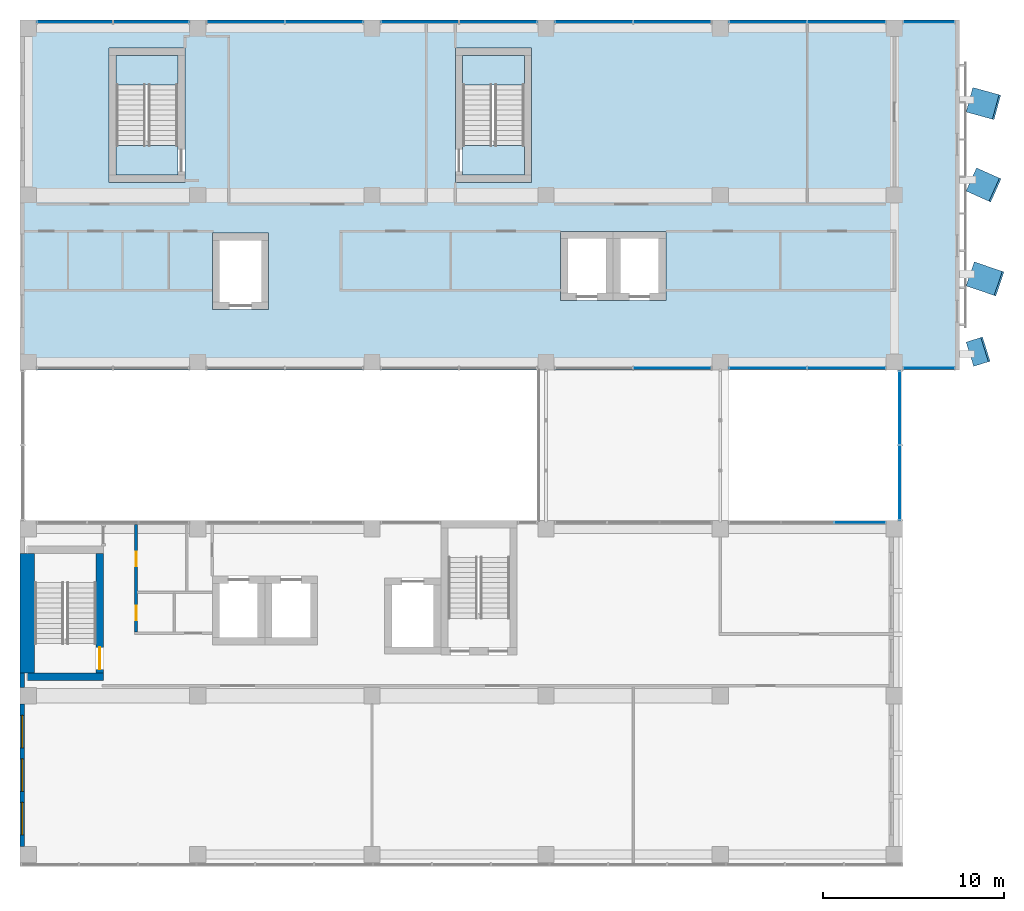
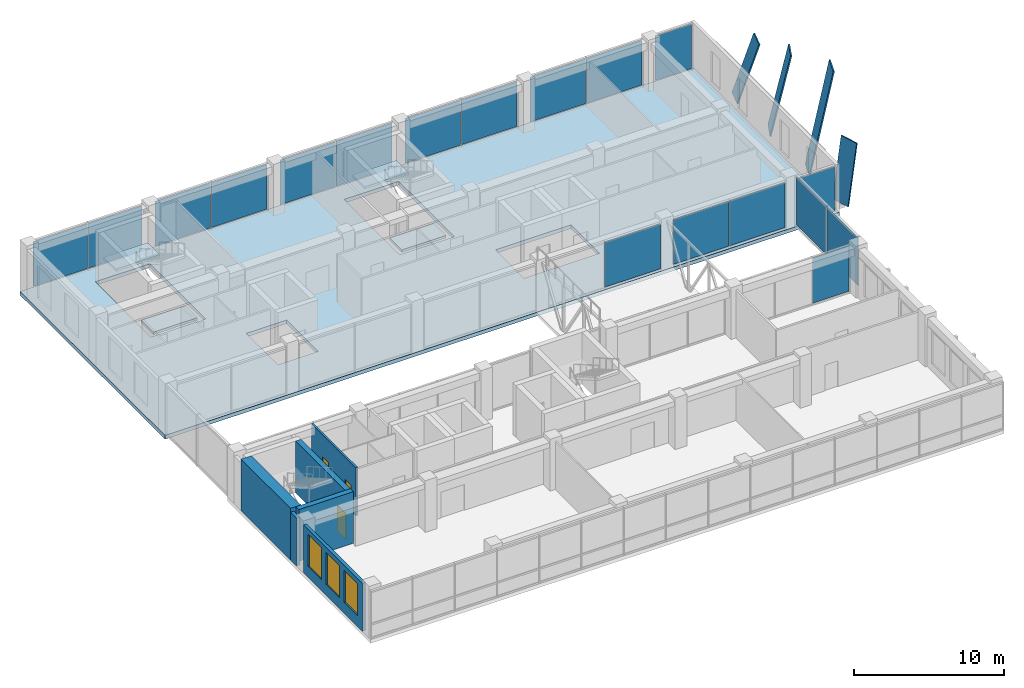
# One storey, part 28 of 38: 22 plates, 6 walls, 5 slabs, 3 doors, 3 windows, 6 openings, 13 elements without a shape of their own.
"""IFC4 building model written with IfcOpenShell, lengths in metres."""

from ifc_helpers import new_model, si_unit, direction, frame, frame_2d, origin, origin_2d, place, context, subcontext, project, spatial, polyline, rectangle, outline, extrude, material, layer, layer_set, layer_usage, material_profile, profile_set, type_object, element, fill, aggregate, save


model = new_model("IFC4")

# Units and contexts
model_context = context("Model", 3, precision=1e-05, world=origin(), true_north=direction((0.0, 1.0)))
body_context = subcontext(model_context, "Body", "Model", "MODEL_VIEW")
ifc_project = project(units=[si_unit("LENGTHUNIT", "METRE"), si_unit("AREAUNIT", "SQUARE_METRE"), si_unit("VOLUMEUNIT", "CUBIC_METRE"), si_unit("PLANEANGLEUNIT", "RADIAN"), si_unit("MASSUNIT", "GRAM", prefix="KILO")], contexts=[model_context])

# Site, building, storey
site_placement = place(None, origin())
site = spatial("IfcSite", under=ifc_project, at=site_placement, CompositionType="ELEMENT")
building_placement = place(site_placement, origin())
building = spatial("IfcBuilding", under=site, at=building_placement, Name="Nzadi Deep Aquarium and Research Tower", CompositionType="ELEMENT")
storey_placement = place(building_placement, frame((0.0, 0.0, 65.5)))
storey = spatial("IfcBuildingStorey", under=building, at=storey_placement, Name="L13", CompositionType="ELEMENT", Elevation=65.5)

# Plates
ifc_material_1 = material(Name="Anodised aluminium, bright", Category="aluminium")
ifc_material_profile_1 = material_profile(ifc_material_1, rectangle(XDim=1.39990234375, YDim=0.10009765625, at=origin_2d()))
ifc_profile_set_1 = profile_set([ifc_material_profile_1], Name="Anodised aluminium, bright")
plate_type_1 = type_object("IfcPlateType", Name="Fold blade anodised aluminium 1400x100, 4.8 m", PredefinedType="SHEET", material=ifc_profile_set_1)
for number, where, z_axis, x_axis, name in (
    (1, (52.209228515625, 28.0400390625, 0.0087890625), (0.169016202445, 0.052947898509, 0.984190044328), (-0.298945326589, 0.954270240399, 0.0), "FD023 fold blade EB L13"),
    (2, (52.184814453125, 42.0400390625, 0.015625), (0.301262147952, -0.082449086921, 0.949970139677), (0.263971612126, 0.964530449489, 0.0), "FD026 fold blade EB L13"),
):
    element("IfcPlate", number, at=place(storey_placement, frame(where, z_axis=z_axis, x_axis=x_axis)), inside=storey, type_object=plate_type_1, Name=name, PredefinedType="SHEET", context=body_context, shape_type="SweptSolid", body=[
        extrude(rectangle(XDim=1.39990234375, YDim=0.10009765625, at=origin_2d()), origin(), (0.0, 0.0, 1.0), 4.800048828125),
    ])
ifc_material_2 = material(Name="Anodised aluminium, bright", Category="aluminium")
ifc_material_profile_2 = material_profile(ifc_material_2, rectangle(XDim=1.39990234375, YDim=0.10009765625, at=origin_2d()))
ifc_profile_set_2 = profile_set([ifc_material_profile_2], Name="Anodised aluminium, bright")
plate_type_2 = type_object("IfcPlateType", Name="Fold blade anodised aluminium 1400x100, 6.6 m", PredefinedType="SHEET", material=ifc_profile_set_2)
plate_1_placement = place(storey_placement, frame((52.286865234375, 37.639892578125, 0.010498046875), z_axis=(0.191206733392, -0.085893216277, 0.977784403897), x_axis=(0.409770232146, 0.912188772594, 0.0)))
element("IfcPlate", 3, at=plate_1_placement, inside=storey, type_object=plate_type_2, Name="FD025 fold blade EB L13", PredefinedType="SHEET", context=body_context, shape_type="SweptSolid", body=[
    extrude(rectangle(XDim=1.39990234375, YDim=0.10009765625, at=origin_2d()), origin(), (0.0, 0.0, 1.0), 6.60009765625),
])
ifc_material_3 = material(Name="Anodised aluminium, bright", Category="aluminium")
ifc_material_profile_3 = material_profile(ifc_material_3, rectangle(XDim=1.39990234375, YDim=0.10009765625, at=origin_2d()))
ifc_profile_set_3 = profile_set([ifc_material_profile_3], Name="Anodised aluminium, bright")
plate_type_3 = type_object("IfcPlateType", Name="Fold blade anodised aluminium 1400x100, 8.4 m", PredefinedType="SHEET", material=ifc_profile_set_3)
plate_2_placement = place(storey_placement, frame((52.2255859375, 32.43994140625, 0.009765625), z_axis=(0.183862437057, -0.062576008059, 0.980958127269), x_axis=(0.322192463593, 0.946674187038, 0.0)))
element("IfcPlate", 4, at=plate_2_placement, inside=storey, type_object=plate_type_3, Name="FD024 fold blade EB L13", PredefinedType="SHEET", context=body_context, shape_type="SweptSolid", body=[
    extrude(rectangle(XDim=1.39990234375, YDim=0.10009765625, at=origin_2d()), origin(), (0.0, 0.0, 1.0), 8.39990234375),
])

# Curtain wall, plate
ifc_material_4 = material(Name="Aluminium unitised frame", Category="aluminium")
ifc_layer_1 = layer(ifc_material_4, 0.199951171875)
ifc_layer_set_1 = layer_set([ifc_layer_1], Name="Aluminium unitised frame")
curtain_wall_type_1 = type_object("IfcCurtainWallType", Name="Curtain wall Unitised 200", PredefinedType="NOTDEFINED", material=ifc_layer_set_1)
curtain_wall_1_placement = place(storey_placement, origin())
curtain_wall_1 = element("IfcCurtainWall", 5, at=curtain_wall_1_placement, inside=storey, type_object=curtain_wall_type_1, Name="Unitised curtain wall blade A north L13", PredefinedType="NOTDEFINED")
ifc_material_5 = material(Name="Glass, sage tint", Category="glass")
ifc_layer_2 = layer(ifc_material_5, 0.035888671875)
ifc_layer_set_2 = layer_set([ifc_layer_2], Name="Glass, sage tint")
plate_type_4 = type_object("IfcPlateType", Name="Glazing panel 36 Unitised", PredefinedType="CURTAIN_PANEL", material=ifc_layer_set_2)
plate_3_placement = place(storey_placement, frame((46.0849609375, 18.75, 0.1201171875), z_axis=(0.0, 0.0, 1.0), x_axis=(1.0, 0.0, 0.0)))
plate_3 = element("IfcPlate", 6, at=plate_3_placement, type_object=plate_type_4, Name="CW063 panel 3.1", PredefinedType="CURTAIN_PANEL", context=body_context, shape_type="SweptSolid", body=[
    extrude(rectangle(XDim=2.81005859375, YDim=0.035888671875, at=origin_2d()), origin(), (0.0, 0.0, 1.0), 3.659912109375),
])
aggregate(curtain_wall_1, [plate_3])

ifc_material_6 = material(Name="Aluminium unitised frame deep", Category="aluminium")
ifc_layer_3 = layer(ifc_material_6, 0.22509765625)
ifc_layer_set_3 = layer_set([ifc_layer_3], Name="Aluminium unitised frame deep")
curtain_wall_type_2 = type_object("IfcCurtainWallType", Name="Curtain wall Unitised Deep 225", PredefinedType="NOTDEFINED", material=ifc_layer_set_3)
curtain_wall_2_placement = place(storey_placement, origin())
curtain_wall_2 = element("IfcCurtainWall", 7, at=curtain_wall_2_placement, inside=storey, type_object=curtain_wall_type_2, Name="Unitised curtain wall blade B south L13", PredefinedType="NOTDEFINED")
ifc_material_7 = material(Name="Glass, sage tint", Category="glass")
ifc_layer_4 = layer(ifc_material_7, 0.0400390625)
ifc_layer_set_4 = layer_set([ifc_layer_4], Name="Glass, sage tint")
plate_type_5 = type_object("IfcPlateType", Name="Glazing panel 40 Unitised Deep", PredefinedType="CURTAIN_PANEL", material=ifc_layer_set_4)
plate_4_placement = place(storey_placement, frame((35.760009765625, 27.262451171875, 0.139892578125), z_axis=(0.0, 0.0, 1.0), x_axis=(1.0, 0.0, 0.0)))
plate_4 = element("IfcPlate", 8, at=plate_4_placement, type_object=plate_type_5, Name="CW167 panel 2.1", PredefinedType="CURTAIN_PANEL", context=body_context, shape_type="SweptSolid", body=[
    extrude(rectangle(XDim=4.260009765625, YDim=0.0400390625, at=origin_2d()), origin(), (0.0, 0.0, 1.0), 3.6201171875),
])
aggregate(curtain_wall_2, [plate_4])

# Curtain wall, plates
curtain_wall_3_placement = place(storey_placement, origin())
curtain_wall_3 = element("IfcCurtainWall", 9, at=curtain_wall_3_placement, inside=storey, type_object=curtain_wall_type_2, Name="Unitised curtain wall blade B south L13", PredefinedType="NOTDEFINED")
plate_5_placement = place(storey_placement, frame((41.0400390625, 27.262451171875, 0.139892578125), z_axis=(0.0, 0.0, 1.0), x_axis=(1.0, 0.0, 0.0)))
plate_5 = element("IfcPlate", 10, at=plate_5_placement, type_object=plate_type_5, Name="CW168 panel 1.1", PredefinedType="CURTAIN_PANEL", context=body_context, shape_type="SweptSolid", body=[
    extrude(rectangle(XDim=4.260009765625, YDim=0.0400390625, at=origin_2d()), origin(), (0.0, 0.0, 1.0), 3.6201171875),
])
plate_6_placement = place(storey_placement, frame((45.360107421875, 27.262451171875, 0.139892578125), z_axis=(0.0, 0.0, 1.0), x_axis=(1.0, 0.0, 0.0)))
plate_6 = element("IfcPlate", 11, at=plate_6_placement, type_object=plate_type_5, Name="CW168 panel 2.1", PredefinedType="CURTAIN_PANEL", context=body_context, shape_type="SweptSolid", body=[
    extrude(rectangle(XDim=4.260009765625, YDim=0.0400390625, at=origin_2d()), origin(), (0.0, 0.0, 1.0), 3.6201171875),
])
aggregate(curtain_wall_3, [plate_5, plate_6])

# Curtain wall, plate
curtain_wall_4_placement = place(storey_placement, origin())
curtain_wall_4 = element("IfcCurtainWall", 12, at=curtain_wall_4_placement, inside=storey, type_object=curtain_wall_type_2, Name="Unitised curtain wall blade B south L13", PredefinedType="NOTDEFINED")
plate_7_placement = place(storey_placement, frame((49.89990234375, 27.262451171875, 0.139892578125), z_axis=(0.0, 0.0, 1.0), x_axis=(1.0, 0.0, 0.0)))
plate_7 = element("IfcPlate", 13, at=plate_7_placement, type_object=plate_type_5, Name="CW169 panel 1.1", PredefinedType="CURTAIN_PANEL", context=body_context, shape_type="SweptSolid", body=[
    extrude(rectangle(XDim=2.780029296875, YDim=0.0400390625, at=origin_2d()), origin(), (0.0, 0.0, 1.0), 3.6201171875),
])
aggregate(curtain_wall_4, [plate_7])

# Curtain wall, plates
curtain_wall_5_placement = place(storey_placement, origin())
curtain_wall_5 = element("IfcCurtainWall", 14, at=curtain_wall_5_placement, inside=storey, type_object=curtain_wall_type_2, Name="Unitised curtain wall blade B north L13", PredefinedType="NOTDEFINED")
plate_8_placement = place(storey_placement, frame((2.827392578125, 46.33740234375, 0.139892578125), z_axis=(0.0, 0.0, 1.0), x_axis=(1.0, 0.0, 0.0)))
plate_8 = element("IfcPlate", 15, at=plate_8_placement, type_object=plate_type_5, Name="CW170 panel 1.1", PredefinedType="CURTAIN_PANEL", context=body_context, shape_type="SweptSolid", body=[
    extrude(rectangle(XDim=4.135009765625, YDim=0.0400390625, at=origin_2d()), origin(), (0.0, 0.0, 1.0), 3.6201171875),
])
plate_9_placement = place(storey_placement, frame((7.0224609375, 46.33740234375, 0.139892578125), z_axis=(0.0, 0.0, 1.0), x_axis=(1.0, 0.0, 0.0)))
plate_9 = element("IfcPlate", 16, at=plate_9_placement, type_object=plate_type_5, Name="CW170 panel 2.1", PredefinedType="CURTAIN_PANEL", context=body_context, shape_type="SweptSolid", body=[
    extrude(rectangle(XDim=4.135009765625, YDim=0.0400390625, at=origin_2d()), origin(), (0.0, 0.0, 1.0), 3.6201171875),
])
aggregate(curtain_wall_5, [plate_8, plate_9])

curtain_wall_6_placement = place(storey_placement, origin())
curtain_wall_6 = element("IfcCurtainWall", 17, at=curtain_wall_6_placement, inside=storey, type_object=curtain_wall_type_2, Name="Unitised curtain wall blade B north L13", PredefinedType="NOTDEFINED")
plate_10_placement = place(storey_placement, frame((12.239990234375, 46.33740234375, 0.139892578125), z_axis=(0.0, 0.0, 1.0), x_axis=(1.0, 0.0, 0.0)))
plate_10 = element("IfcPlate", 18, at=plate_10_placement, type_object=plate_type_5, Name="CW171 panel 1.1", PredefinedType="CURTAIN_PANEL", context=body_context, shape_type="SweptSolid", body=[
    extrude(rectangle(XDim=4.260009765625, YDim=0.0400390625, at=origin_2d()), origin(), (0.0, 0.0, 1.0), 3.6201171875),
])
plate_11_placement = place(storey_placement, frame((16.56005859375, 46.33740234375, 0.139892578125), z_axis=(0.0, 0.0, 1.0), x_axis=(1.0, 0.0, 0.0)))
plate_11 = element("IfcPlate", 19, at=plate_11_placement, type_object=plate_type_5, Name="CW171 panel 2.1", PredefinedType="CURTAIN_PANEL", context=body_context, shape_type="SweptSolid", body=[
    extrude(rectangle(XDim=4.260009765625, YDim=0.0400390625, at=origin_2d()), origin(), (0.0, 0.0, 1.0), 3.6201171875),
])
aggregate(curtain_wall_6, [plate_10, plate_11])

curtain_wall_7_placement = place(storey_placement, origin())
curtain_wall_7 = element("IfcCurtainWall", 20, at=curtain_wall_7_placement, inside=storey, type_object=curtain_wall_type_2, Name="Unitised curtain wall blade B north L13", PredefinedType="NOTDEFINED")
plate_12_placement = place(storey_placement, frame((21.840087890625, 46.33740234375, 0.139892578125), z_axis=(0.0, 0.0, 1.0), x_axis=(1.0, 0.0, 0.0)))
plate_12 = element("IfcPlate", 21, at=plate_12_placement, type_object=plate_type_5, Name="CW172 panel 1.1", PredefinedType="CURTAIN_PANEL", context=body_context, shape_type="SweptSolid", body=[
    extrude(rectangle(XDim=4.260009765625, YDim=0.0400390625, at=origin_2d()), origin(), (0.0, 0.0, 1.0), 3.6201171875),
])
plate_13_placement = place(storey_placement, frame((26.159912109375, 46.33740234375, 0.139892578125), z_axis=(0.0, 0.0, 1.0), x_axis=(1.0, 0.0, 0.0)))
plate_13 = element("IfcPlate", 22, at=plate_13_placement, type_object=plate_type_5, Name="CW172 panel 2.1", PredefinedType="CURTAIN_PANEL", context=body_context, shape_type="SweptSolid", body=[
    extrude(rectangle(XDim=4.260009765625, YDim=0.0400390625, at=origin_2d()), origin(), (0.0, 0.0, 1.0), 3.6201171875),
])
aggregate(curtain_wall_7, [plate_12, plate_13])

curtain_wall_8_placement = place(storey_placement, origin())
curtain_wall_8 = element("IfcCurtainWall", 23, at=curtain_wall_8_placement, inside=storey, type_object=curtain_wall_type_2, Name="Unitised curtain wall blade B north L13", PredefinedType="NOTDEFINED")
plate_14_placement = place(storey_placement, frame((31.43994140625, 46.33740234375, 0.139892578125), z_axis=(0.0, 0.0, 1.0), x_axis=(1.0, 0.0, 0.0)))
plate_14 = element("IfcPlate", 24, at=plate_14_placement, type_object=plate_type_5, Name="CW173 panel 1.1", PredefinedType="CURTAIN_PANEL", context=body_context, shape_type="SweptSolid", body=[
    extrude(rectangle(XDim=4.260009765625, YDim=0.0400390625, at=origin_2d()), origin(), (0.0, 0.0, 1.0), 3.6201171875),
])
plate_15_placement = place(storey_placement, frame((35.760009765625, 46.33740234375, 0.139892578125), z_axis=(0.0, 0.0, 1.0), x_axis=(1.0, 0.0, 0.0)))
plate_15 = element("IfcPlate", 25, at=plate_15_placement, type_object=plate_type_5, Name="CW173 panel 2.1", PredefinedType="CURTAIN_PANEL", context=body_context, shape_type="SweptSolid", body=[
    extrude(rectangle(XDim=4.260009765625, YDim=0.0400390625, at=origin_2d()), origin(), (0.0, 0.0, 1.0), 3.6201171875),
])
aggregate(curtain_wall_8, [plate_14, plate_15])

curtain_wall_9_placement = place(storey_placement, origin())
curtain_wall_9 = element("IfcCurtainWall", 26, at=curtain_wall_9_placement, inside=storey, type_object=curtain_wall_type_2, Name="Unitised curtain wall blade B north L13", PredefinedType="NOTDEFINED")
plate_16_placement = place(storey_placement, frame((41.0400390625, 46.33740234375, 0.139892578125), z_axis=(0.0, 0.0, 1.0), x_axis=(1.0, 0.0, 0.0)))
plate_16 = element("IfcPlate", 27, at=plate_16_placement, type_object=plate_type_5, Name="CW174 panel 1.1", PredefinedType="CURTAIN_PANEL", context=body_context, shape_type="SweptSolid", body=[
    extrude(rectangle(XDim=4.260009765625, YDim=0.0400390625, at=origin_2d()), origin(), (0.0, 0.0, 1.0), 3.6201171875),
])
plate_17_placement = place(storey_placement, frame((45.360107421875, 46.33740234375, 0.139892578125), z_axis=(0.0, 0.0, 1.0), x_axis=(1.0, 0.0, 0.0)))
plate_17 = element("IfcPlate", 28, at=plate_17_placement, type_object=plate_type_5, Name="CW174 panel 2.1", PredefinedType="CURTAIN_PANEL", context=body_context, shape_type="SweptSolid", body=[
    extrude(rectangle(XDim=4.260009765625, YDim=0.0400390625, at=origin_2d()), origin(), (0.0, 0.0, 1.0), 3.6201171875),
])
aggregate(curtain_wall_9, [plate_16, plate_17])

# Curtain wall, plate
curtain_wall_10_placement = place(storey_placement, origin())
curtain_wall_10 = element("IfcCurtainWall", 29, at=curtain_wall_10_placement, inside=storey, type_object=curtain_wall_type_2, Name="Unitised curtain wall blade B north L13", PredefinedType="NOTDEFINED")
plate_18_placement = place(storey_placement, frame((49.89990234375, 46.33740234375, 0.139892578125), z_axis=(0.0, 0.0, 1.0), x_axis=(1.0, 0.0, 0.0)))
plate_18 = element("IfcPlate", 30, at=plate_18_placement, type_object=plate_type_5, Name="CW175 panel 1.1", PredefinedType="CURTAIN_PANEL", context=body_context, shape_type="SweptSolid", body=[
    extrude(rectangle(XDim=2.780029296875, YDim=0.0400390625, at=origin_2d()), origin(), (0.0, 0.0, 1.0), 3.6201171875),
])
aggregate(curtain_wall_10, [plate_18])

# Curtain wall, plates
ifc_material_8 = material(Name="Aluminium unitised frame wind post", Category="aluminium")
ifc_layer_5 = layer(ifc_material_8, 0.300048828125)
ifc_layer_set_5 = layer_set([ifc_layer_5], Name="Aluminium unitised frame wind post")
curtain_wall_type_3 = type_object("IfcCurtainWallType", Name="Curtain wall Slot End 300", PredefinedType="NOTDEFINED", material=ifc_layer_set_5)
curtain_wall_11_placement = place(storey_placement, origin())
curtain_wall_11 = element("IfcCurtainWall", 31, at=curtain_wall_11_placement, inside=storey, type_object=curtain_wall_type_3, Name="Glazed slot end east L13", PredefinedType="NOTDEFINED")
ifc_material_9 = material(Name="Glass, sage tint", Category="glass")
ifc_layer_6 = layer(ifc_material_9, 0.0439453125)
ifc_layer_set_6 = layer_set([ifc_layer_6], Name="Glass, sage tint")
plate_type_6 = type_object("IfcPlateType", Name="Glazing panel 44 Slot End", PredefinedType="CURTAIN_PANEL", material=ifc_layer_set_6)
plate_19_placement = place(storey_placement, frame((48.300048828125, 20.93994140625, 0.16015625), z_axis=(0.0, 0.0, 1.0), x_axis=(0.0, 1.0, 0.0)))
plate_19 = element("IfcPlate", 32, at=plate_19_placement, type_object=plate_type_6, Name="CW218 panel 1.1", PredefinedType="CURTAIN_PANEL", context=body_context, shape_type="SweptSolid", body=[
    extrude(rectangle(XDim=4.06005859375, YDim=0.0439453125, at=origin_2d()), origin(), (0.0, 0.0, 1.0), 3.8798828125),
])
plate_20_placement = place(storey_placement, frame((48.300048828125, 25.06005859375, 0.16015625), z_axis=(0.0, 0.0, 1.0), x_axis=(0.0, 1.0, 0.0)))
plate_20 = element("IfcPlate", 33, at=plate_20_placement, type_object=plate_type_6, Name="CW218 panel 2.1", PredefinedType="CURTAIN_PANEL", context=body_context, shape_type="SweptSolid", body=[
    extrude(rectangle(XDim=4.06005859375, YDim=0.0439453125, at=origin_2d()), origin(), (0.0, 0.0, 1.0), 3.8798828125),
])
aggregate(curtain_wall_11, [plate_19, plate_20])

# Stair, slabs
ifc_material_10 = material(Name="Concrete C35/45", Category="concrete")
stair_type = type_object("IfcStairType", Name="STAIR RETURN 3000", PredefinedType="NOTDEFINED", material=ifc_material_10)
stair_1_placement = place(storey_placement, origin())
stair_1 = element("IfcStair", 34, at=stair_1_placement, inside=storey, type_object=stair_type, Name="Stair ST-Z1-NW L13", PredefinedType="HALF_TURN_STAIR")
ifc_material_11 = material(Name="Concrete C35/45", Category="concrete")
ifc_layer_7 = layer(ifc_material_11, 0.199951171875)
ifc_layer_set_7 = layer_set([ifc_layer_7], Name="Concrete C35/45")
slab_type_1 = type_object("IfcSlabType", Name="LANDING 200", PredefinedType="LANDING", material=ifc_layer_set_7)
slab_1_placement = place(storey_placement, frame((0.0, 0.0, -0.199951171875)))
slab_1 = element("IfcSlab", 35, at=slab_1_placement, type_object=slab_type_1, Name="ST-Z1-NW landing 1", PredefinedType="LANDING", context=body_context, shape_type="SweptSolid", body=[
    extrude(outline(polyline([(5.10009765625, 37.89990234375), (8.5, 37.89990234375), (8.5, 39.52001953125), (5.10009765625, 39.52001953125), (5.10009765625, 37.89990234375)])), origin(), (0.0, 0.0, 1.0), 0.199951171875),
])
slab_2_placement = place(storey_placement, frame((0.0, 0.0, 1.89990234375)))
slab_2 = element("IfcSlab", 36, at=slab_2_placement, type_object=slab_type_1, Name="ST-Z1-NW landing 2", PredefinedType="LANDING", context=body_context, shape_type="SweptSolid", body=[
    extrude(outline(polyline([(5.10009765625, 42.8798828125), (8.5, 42.8798828125), (8.5, 44.5), (5.10009765625, 44.5), (5.10009765625, 42.8798828125)])), origin(), (0.0, 0.0, 1.0), 0.2001953125),
])
aggregate(stair_1, [slab_1, slab_2])

stair_2_placement = place(storey_placement, origin())
stair_2 = element("IfcStair", 37, at=stair_2_placement, inside=storey, type_object=stair_type, Name="Stair ST-Z1-NE L13", PredefinedType="HALF_TURN_STAIR")
slab_3_placement = place(storey_placement, frame((0.0, 0.0, -0.199951171875)))
slab_3 = element("IfcSlab", 38, at=slab_3_placement, type_object=slab_type_1, Name="ST-Z1-NE landing 1", PredefinedType="LANDING", context=body_context, shape_type="SweptSolid", body=[
    extrude(outline(polyline([(24.199951171875, 37.89990234375), (27.60009765625, 37.89990234375), (27.60009765625, 39.52001953125), (24.199951171875, 39.52001953125), (24.199951171875, 37.89990234375)])), origin(), (0.0, 0.0, 1.0), 0.199951171875),
])
slab_4_placement = place(storey_placement, frame((0.0, 0.0, 1.89990234375)))
slab_4 = element("IfcSlab", 39, at=slab_4_placement, type_object=slab_type_1, Name="ST-Z1-NE landing 2", PredefinedType="LANDING", context=body_context, shape_type="SweptSolid", body=[
    extrude(outline(polyline([(24.199951171875, 42.8798828125), (27.60009765625, 42.8798828125), (27.60009765625, 44.5), (24.199951171875, 44.5), (24.199951171875, 42.8798828125)])), origin(), (0.0, 0.0, 1.0), 0.2001953125),
])
aggregate(stair_2, [slab_3, slab_4])

# Slab
ifc_material_12 = material(Name="Concrete C35/45", Category="concrete")
ifc_layer_8 = layer(ifc_material_12, 0.300048828125)
ifc_layer_set_8 = layer_set([ifc_layer_8], Name="Concrete C35/45")
slab_type_2 = type_object("IfcSlabType", Name="RC floor slab 300", PredefinedType="FLOOR", material=ifc_layer_set_8)
slab_5_placement = place(storey_placement, frame((0.0, 0.0, -0.300048828125)))
element("IfcSlab", 40, at=slab_5_placement, inside=storey, type_object=slab_type_2, Name="Tower floor B L13", PredefinedType="FLOOR", context=body_context, shape_type="SweptSolid", body=[
    extrude(outline(polyline([(-0.199462890625, 27.14990234375), (51.60009765625, 27.14990234375), (51.60009765625, 46.449951171875), (-0.199462890625, 46.449951171875), (-0.199462890625, 27.14990234375)]), holes=[polyline([(8.89990234375, 44.89990234375), (8.89990234375, 37.5), (4.699951171875, 37.5), (4.699951171875, 44.89990234375), (8.89990234375, 44.89990234375)]), polyline([(28.0, 37.5), (23.800048828125, 37.5), (23.800048828125, 44.89990234375), (28.0, 44.89990234375), (28.0, 37.5)]), polyline([(10.39990234375, 30.5), (10.39990234375, 34.699951171875), (13.5, 34.699951171875), (13.5, 30.5), (10.39990234375, 30.5)]), polyline([(29.60009765625, 34.800048828125), (32.5, 34.800048828125), (35.39990234375, 34.800048828125), (35.39990234375, 31.0), (32.5, 31.0), (29.60009765625, 31.0), (29.60009765625, 34.800048828125)])]), origin(), (0.0, 0.0, 1.0), 0.300048828125),
])

# Wall
ifc_material_13 = material(Name="Concrete C35/45", Category="concrete")
ifc_layer_9 = layer(ifc_material_13, 0.14990234375, Category="cladding")
ifc_material_14 = material(Name="Mineral wool insulation")
ifc_layer_10 = layer(ifc_material_14, 0.070068359375, Category="insulation")
ifc_material_15 = material(Name="Gypsum board lining")
ifc_layer_11 = layer(ifc_material_15, 0.030029296875, Category="lining")
ifc_layer_set_9 = layer_set([ifc_layer_9, ifc_layer_10, ifc_layer_11], Name="Concrete C35/45, Mineral wool insulation, Gypsum board lining")
ifc_layer_usage_1 = layer_usage(ifc_layer_set_9, "AXIS2", "POSITIVE", -0.125)
wall_type_1 = type_object("IfcWallType", Name="End wall board-formed concrete 250", PredefinedType="ELEMENTEDWALL", material=ifc_layer_set_9)
wall_1_placement = place(storey_placement, frame((-0.074462890625, 10.449951171875, 0.0), z_axis=(0.0, 0.0, 1.0), x_axis=(0.0, -1.0, 0.0)))
element("IfcWall", 41, at=wall_1_placement, inside=storey, type_object=wall_type_1, material=ifc_layer_usage_1, Name="End wall blade A west L13", PredefinedType="ELEMENTEDWALL", context=body_context, shape_type="SweptSolid", body=[
    extrude(rectangle(XDim=0.800048828125, YDim=0.25, at=frame_2d((0.39990234375, 0.0))), origin(), (0.0, 0.0, 1.0), 3.89990234375),
])

# Wall, openings, windows
ifc_material_16 = material(Name="Graphite aluminium shingle", Category="aluminium")
ifc_layer_12 = layer(ifc_material_16, 0.050048828125, Category="cladding")
ifc_layer_13 = layer(ifc_material_13, 0.10009765625, Category="cladding")
ifc_layer_14 = layer(ifc_material_14, 0.070068359375, Category="insulation")
ifc_layer_15 = layer(ifc_material_15, 0.030029296875, Category="lining")
ifc_layer_set_10 = layer_set([ifc_layer_12, ifc_layer_13, ifc_layer_14, ifc_layer_15], Name="Graphite aluminium shingle, Concrete C35/45, Mineral wool insulation, Gypsum board lining")
ifc_layer_usage_2 = layer_usage(ifc_layer_set_10, "AXIS2", "POSITIVE", -0.125)
wall_type_2 = type_object("IfcWallType", Name="End wall shingle over board-formed concrete 250", PredefinedType="ELEMENTEDWALL", material=ifc_layer_set_10)
wall_2_placement = place(storey_placement, frame((-0.074462890625, 8.75, 0.0), z_axis=(0.0, 0.0, 1.0), x_axis=(0.0, -1.0, 0.0)))
wall_2 = element("IfcWall", 42, at=wall_2_placement, inside=storey, type_object=wall_type_2, material=ifc_layer_usage_2, Name="End wall blade A west L13", PredefinedType="ELEMENTEDWALL", context=body_context, shape_type="SweptSolid", body=[
    extrude(rectangle(XDim=7.85009765625, YDim=0.25, at=frame_2d((3.925048828125, 0.0))), origin(), (0.0, 0.0, 1.0), 3.89990234375),
])
opening_1_placement = place(wall_2_placement, frame((5.425048828125, 0.0, 0.89990234375)))
opening_1 = element("IfcOpeningElement", 43, at=opening_1_placement, cuts=wall_2, Name="Opening WN01", PredefinedType="OPENING", context=body_context, shape_type="SweptSolid", body=[
    extrude(rectangle(XDim=1.800048828125, YDim=2.60009765625, at=frame_2d((0.89990234375, 1.300048828125))), frame((0.0, 0.135009765625, 0.0), z_axis=(0.0, -1.0, 0.0), x_axis=(1.0, 0.0, 0.0)), (0.0, 0.0, 1.0), 0.27001953125),
])
opening_2_placement = place(wall_2_placement, frame((3.02490234375, 0.0, 0.89990234375)))
opening_2 = element("IfcOpeningElement", 44, at=opening_2_placement, cuts=wall_2, Name="Opening WN01", PredefinedType="OPENING", context=body_context, shape_type="SweptSolid", body=[
    extrude(rectangle(XDim=1.800048828125, YDim=2.60009765625, at=frame_2d((0.89990234375, 1.300048828125))), frame((0.0, 0.135009765625, 0.0), z_axis=(0.0, -1.0, 0.0), x_axis=(1.0, 0.0, 0.0)), (0.0, 0.0, 1.0), 0.27001953125),
])
opening_3_placement = place(wall_2_placement, frame((0.625, 0.0, 0.89990234375)))
opening_3 = element("IfcOpeningElement", 45, at=opening_3_placement, cuts=wall_2, Name="Opening WN01", PredefinedType="OPENING", context=body_context, shape_type="SweptSolid", body=[
    extrude(rectangle(XDim=1.800048828125, YDim=2.60009765625, at=frame_2d((0.89990234375, 1.300048828125))), frame((0.0, 0.135009765625, 0.0), z_axis=(0.0, -1.0, 0.0), x_axis=(1.0, 0.0, 0.0)), (0.0, 0.0, 1.0), 0.27001953125),
])
ifc_material_17 = material(Name="Aluminium window, sage tint glazing", Category="aluminium")
window_type = type_object("IfcWindowType", Name="Slot window 1800x2600 sill 900", PartitioningType="SINGLE_PANEL", PredefinedType="WINDOW", material=ifc_material_17)
window_1_placement = place(opening_1_placement, origin())
window_1 = element("IfcWindow", 46, at=window_1_placement, inside=storey, type_object=window_type, Name="Slot window L13 AW", OverallHeight=2.60009765625, OverallWidth=1.800048828125, PartitioningType="SINGLE_PANEL", PredefinedType="WINDOW", context=body_context, shape_type="SweptSolid", body=[
    extrude(rectangle(XDim=1.800048828125, YDim=2.60009765625, at=frame_2d((0.89990234375, 1.300048828125))), frame((0.0, 0.030029296875, 0.0), z_axis=(0.0, -1.0, 0.0), x_axis=(1.0, 0.0, 0.0)), (0.0, 0.0, 1.0), 0.06005859375),
])
fill(opening_1, window_1)
window_2_placement = place(opening_2_placement, origin())
window_2 = element("IfcWindow", 47, at=window_2_placement, inside=storey, type_object=window_type, Name="Slot window L13 AW", OverallHeight=2.60009765625, OverallWidth=1.800048828125, PartitioningType="SINGLE_PANEL", PredefinedType="WINDOW", context=body_context, shape_type="SweptSolid", body=[
    extrude(rectangle(XDim=1.800048828125, YDim=2.60009765625, at=frame_2d((0.89990234375, 1.300048828125))), frame((0.0, 0.030029296875, 0.0), z_axis=(0.0, -1.0, 0.0), x_axis=(1.0, 0.0, 0.0)), (0.0, 0.0, 1.0), 0.06005859375),
])
fill(opening_2, window_2)
window_3_placement = place(opening_3_placement, origin())
window_3 = element("IfcWindow", 48, at=window_3_placement, inside=storey, type_object=window_type, Name="Slot window L13 AW", OverallHeight=2.60009765625, OverallWidth=1.800048828125, PartitioningType="SINGLE_PANEL", PredefinedType="WINDOW", context=body_context, shape_type="SweptSolid", body=[
    extrude(rectangle(XDim=1.800048828125, YDim=2.60009765625, at=frame_2d((0.89990234375, 1.300048828125))), frame((0.0, 0.030029296875, 0.0), z_axis=(0.0, -1.0, 0.0), x_axis=(1.0, 0.0, 0.0)), (0.0, 0.0, 1.0), 0.06005859375),
])
fill(opening_3, window_3)

# Wall, openings, doors
ifc_material_18 = material(Name="Blockwork masonry", Category="masonry")
ifc_layer_16 = layer(ifc_material_18, 0.14990234375)
ifc_layer_set_11 = layer_set([ifc_layer_16], Name="Blockwork masonry")
wall_type_3 = type_object("IfcWallType", Name="Partition 150 EI 60", PredefinedType="PARTITIONING", material=ifc_layer_set_11)
wall_3_placement = place(storey_placement, frame((6.199951171875, 12.72509765625, 0.0), z_axis=(0.0, 0.0, 1.0), x_axis=(0.0, 1.0, 0.0)))
wall_3 = element("IfcWall", 49, at=wall_3_placement, inside=storey, type_object=wall_type_3, Name="W-Z1-L13-P009", PredefinedType="PARTITIONING", context=body_context, shape_type="SweptSolid", body=[
    extrude(rectangle(XDim=5.9189453125, YDim=0.14990234375, at=frame_2d((2.95947265625, 0.0))), origin(), (0.0, 0.0, 1.0), 3.89990234375),
])
opening_4_placement = place(wall_3_placement, frame((0.625, 0.0, 0.0)))
opening_4 = element("IfcOpeningElement", 50, at=opening_4_placement, cuts=wall_3, Name="Opening D141002", PredefinedType="OPENING", context=body_context, shape_type="SweptSolid", body=[
    extrude(rectangle(XDim=0.800048828125, YDim=2.10009765625, at=frame_2d((0.39990234375, 1.050048828125))), frame((0.0, 0.0849609375, 0.0), z_axis=(0.0, -1.0, 0.0), x_axis=(1.0, 0.0, 0.0)), (0.0, 0.0, 1.0), 0.169921875),
])
opening_5_placement = place(wall_3_placement, frame((3.625, 0.0, 0.0)))
opening_5 = element("IfcOpeningElement", 51, at=opening_5_placement, cuts=wall_3, Name="Opening D141004", PredefinedType="OPENING", context=body_context, shape_type="SweptSolid", body=[
    extrude(rectangle(XDim=0.800048828125, YDim=2.10009765625, at=frame_2d((0.39990234375, 1.050048828125))), frame((0.0, 0.0849609375, 0.0), z_axis=(0.0, -1.0, 0.0), x_axis=(1.0, 0.0, 0.0)), (0.0, 0.0, 1.0), 0.169921875),
])
ifc_material_19 = material(Name="Fire-rated steel door", Category="steel")
ifc_layer_17 = layer(ifc_material_19, 0.050048828125)
ifc_layer_set_12 = layer_set([ifc_layer_17], Name="Fire-rated steel door")
door_type_1 = type_object("IfcDoorType", Name="Door 800x2100 EI 60 single", OperationType="SINGLE_SWING_LEFT", PredefinedType="DOOR", material=ifc_layer_set_12)
door_1_placement = place(opening_4_placement, origin())
door_1 = element("IfcDoor", 52, at=door_1_placement, inside=storey, type_object=door_type_1, Name="D141002", OperationType="SINGLE_SWING_LEFT", OverallHeight=2.10009765625, OverallWidth=0.800048828125, PredefinedType="DOOR", context=body_context, shape_type="SweptSolid", body=[
    extrude(rectangle(XDim=0.800048828125, YDim=2.10009765625, at=frame_2d((0.39990234375, 1.050048828125))), frame((0.0, 0.02490234375, 0.0), z_axis=(0.0, -1.0, 0.0), x_axis=(1.0, 0.0, 0.0)), (0.0, 0.0, 1.0), 0.050048828125),
])
fill(opening_4, door_1)
door_2_placement = place(opening_5_placement, origin())
door_2 = element("IfcDoor", 53, at=door_2_placement, inside=storey, type_object=door_type_1, Name="D141004", OperationType="SINGLE_SWING_LEFT", OverallHeight=2.10009765625, OverallWidth=0.800048828125, PredefinedType="DOOR", context=body_context, shape_type="SweptSolid", body=[
    extrude(rectangle(XDim=0.800048828125, YDim=2.10009765625, at=frame_2d((0.39990234375, 1.050048828125))), frame((0.0, 0.02490234375, 0.0), z_axis=(0.0, -1.0, 0.0), x_axis=(1.0, 0.0, 0.0)), (0.0, 0.0, 1.0), 0.050048828125),
])
fill(opening_5, door_2)

# Wall
ifc_material_20 = material(Name="Concrete C35/45", Category="concrete")
ifc_layer_18 = layer(ifc_material_20, 0.39990234375)
ifc_layer_set_13 = layer_set([ifc_layer_18], Name="Concrete C35/45")
wall_type_4 = type_object("IfcWallType", Name="RC core wall 400", PredefinedType="SHEAR", material=ifc_layer_set_13)
wall_4_placement = place(storey_placement, frame((0.199951171875, 10.25, 0.0), z_axis=(0.0, 0.0, 1.0), x_axis=(1.0, 0.0, 0.0)))
element("IfcWall", 54, at=wall_4_placement, inside=storey, type_object=wall_type_4, Name="W-CORE-ST-Z1-SW-L13-S", PredefinedType="SHEAR", context=body_context, shape_type="SweptSolid", body=[
    extrude(rectangle(XDim=4.199951171875, YDim=0.39990234375, at=frame_2d((2.10009765625, 0.0))), origin(), (0.0, 0.0, 1.0), 4.199951171875),
])

# Wall, opening, door
wall_5_placement = place(storey_placement, frame((4.199951171875, 10.449951171875, 0.0), z_axis=(0.0, 0.0, 1.0), x_axis=(0.0, 1.0, 0.0)))
wall_5 = element("IfcWall", 55, at=wall_5_placement, inside=storey, type_object=wall_type_4, Name="W-CORE-ST-Z1-SW-L13-E", PredefinedType="SHEAR", context=body_context, shape_type="SweptSolid", body=[
    extrude(rectangle(XDim=6.60009765625, YDim=0.39990234375, at=frame_2d((3.300048828125, 0.0))), origin(), (0.0, 0.0, 1.0), 4.199951171875),
])
opening_6_placement = place(wall_5_placement, frame((0.2099609375, 0.0, 0.0)))
opening_6 = element("IfcOpeningElement", 56, at=opening_6_placement, cuts=wall_5, Name="Opening DS-Z1-SW-L13", PredefinedType="OPENING", context=body_context, shape_type="SweptSolid", body=[
    extrude(rectangle(XDim=1.199951171875, YDim=2.10009765625, at=frame_2d((0.60009765625, 1.050048828125))), frame((0.0, 0.2099609375, 0.0), z_axis=(0.0, -1.0, 0.0), x_axis=(1.0, 0.0, 0.0)), (0.0, 0.0, 1.0), 0.419921875),
])
ifc_material_21 = material(Name="Steel, powder coated", Category="steel")
door_type_2 = type_object("IfcDoorType", Name="STAIR DOOR 1200x2100 EI 60", OperationType="SINGLE_SWING_LEFT", PredefinedType="DOOR", material=ifc_material_21)
door_3_placement = place(opening_6_placement, origin())
door_3 = element("IfcDoor", 57, at=door_3_placement, inside=storey, type_object=door_type_2, Name="Stair door ST-Z1-SW L13", OperationType="SINGLE_SWING_RIGHT", OverallHeight=2.10009765625, OverallWidth=1.199951171875, PredefinedType="DOOR", context=body_context, shape_type="SweptSolid", body=[
    extrude(rectangle(XDim=1.199951171875, YDim=2.10009765625, at=frame_2d((0.60009765625, 1.050048828125))), frame((0.0, 0.02490234375, 0.0), z_axis=(0.0, -1.0, 0.0), x_axis=(1.0, 0.0, 0.0)), (0.0, 0.0, 1.0), 0.050048828125),
])
fill(opening_6, door_3)

# Wall
ifc_material_22 = material(Name="Concrete C35/45", Category="concrete")
ifc_layer_19 = layer(ifc_material_22, 0.800048828125)
ifc_layer_set_14 = layer_set([ifc_layer_19], Name="Concrete C35/45")
wall_type_5 = type_object("IfcWallType", Name="RC core wall 800", PredefinedType="SHEAR", material=ifc_layer_set_14)
wall_6_placement = place(storey_placement, frame((0.200439453125, 10.449951171875, 0.0), z_axis=(0.0, 0.0, 1.0), x_axis=(0.0, 1.0, 0.0)))
element("IfcWall", 58, at=wall_6_placement, inside=storey, type_object=wall_type_5, Name="W-CORE-ST-Z1-SW-L13-W", PredefinedType="SHEAR", context=body_context, shape_type="SweptSolid", body=[
    extrude(rectangle(XDim=6.60009765625, YDim=0.800048828125, at=frame_2d((3.300048828125, 0.0))), origin(), (0.0, 0.0, 1.0), 4.199951171875),
])

save(model, "model.ifc")
